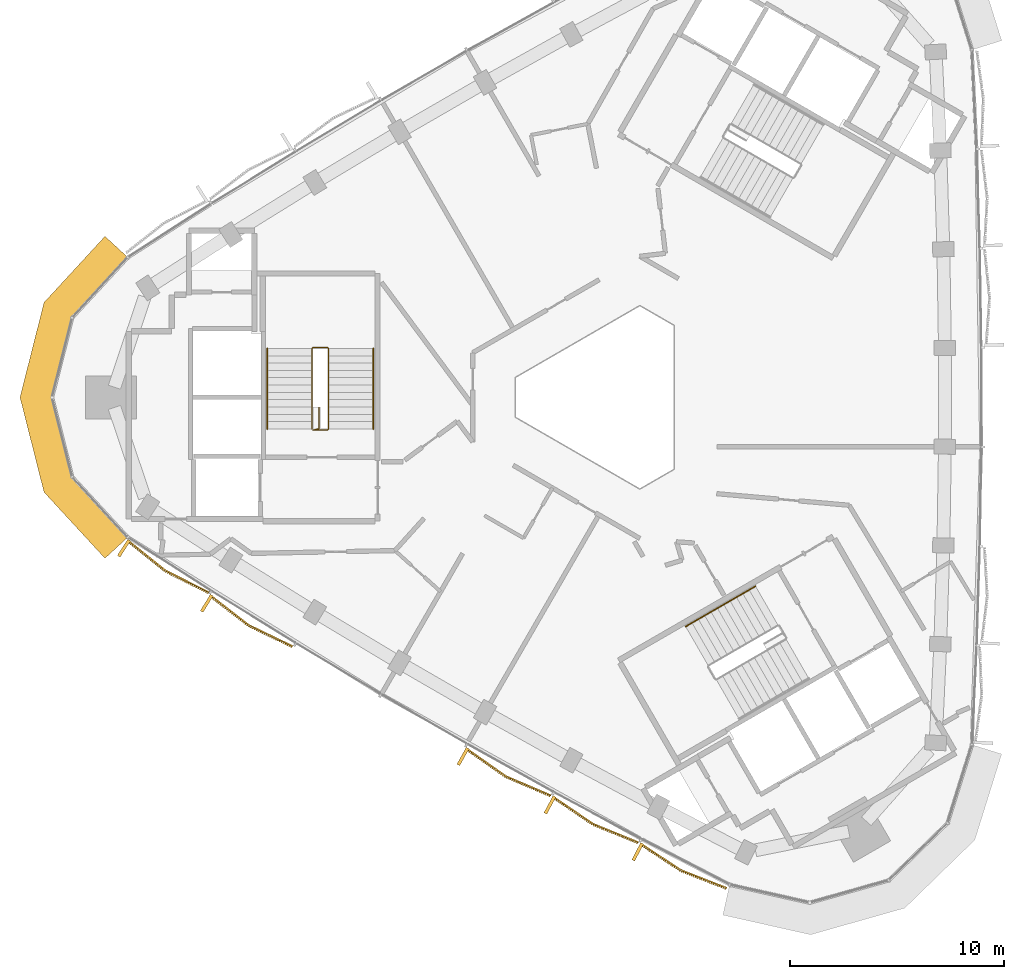
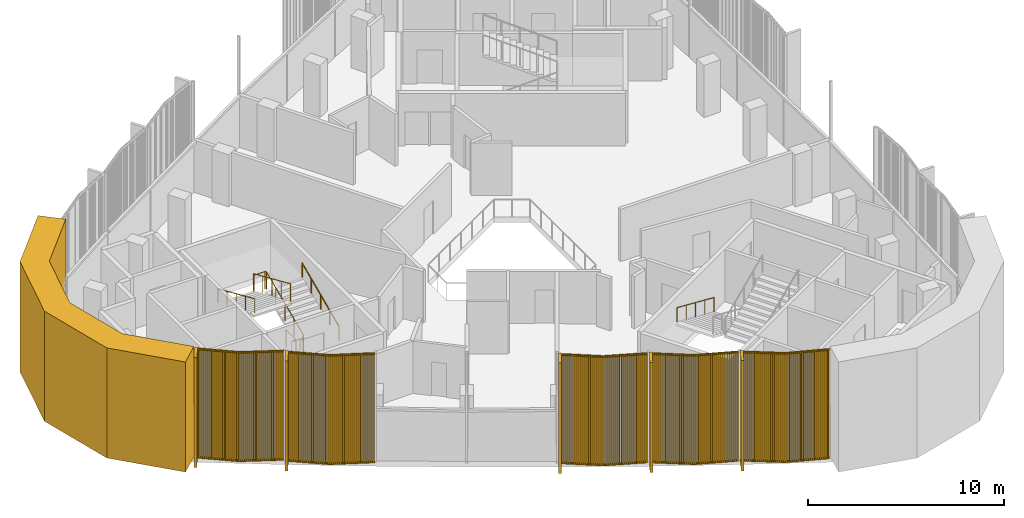
# One storey, part 10 of 13: 6 coverings, 4 railings.
"""IFC4 building model written with IfcOpenShell, lengths in metres."""

from ifc_helpers import new_model, si_unit, direction, frame, frame_2d, origin, origin_2d, place, context, subcontext, project, spatial, polyline, rectangle, circle, outline, extrude, source, transform, mapped, material, layer, layer_set, type_object, element, save


model = new_model("IFC4")

# Units and contexts
model_context = context("Model", 3, precision=1e-05, world=origin(), true_north=direction((0.0, 1.0)))
body_context = subcontext(model_context, "Body", "Model", "MODEL_VIEW")
ifc_project = project(units=[si_unit("LENGTHUNIT", "METRE"), si_unit("AREAUNIT", "SQUARE_METRE"), si_unit("VOLUMEUNIT", "CUBIC_METRE"), si_unit("PLANEANGLEUNIT", "RADIAN"), si_unit("MASSUNIT", "GRAM", prefix="KILO")], contexts=[model_context])

# Site, building, storey
site_placement = place(None, origin())
site = spatial("IfcSite", under=ifc_project, at=site_placement, CompositionType="ELEMENT")
building_placement = place(site_placement, origin())
building = spatial("IfcBuilding", under=site, at=building_placement, Name="Tamra Quay Hotel Tower", CompositionType="ELEMENT")
storey_placement = place(building_placement, frame((0.0, 0.0, 291.0)))
storey = spatial("IfcBuildingStorey", under=building, at=storey_placement, Name="L73", CompositionType="ELEMENT", Elevation=291.0)

# Covering
ifc_material_1 = material(Name="Precast concrete M60 terracotta-coloured", Category="masonry")
ifc_layer = layer(ifc_material_1, 1.449951171875)
ifc_layer_set = layer_set([ifc_layer], Name="CORNER PIER PANEL")
covering_type_1 = type_object("IfcCoveringType", Name="CORNER PIER PANEL", PredefinedType="CLADDING", material=ifc_layer_set)
covering_placement = place(storey_placement, origin())
element("IfcCovering", 1, at=covering_placement, inside=storey, type_object=covering_type_1, Name="Corner pier L73.north-west", PredefinedType="CLADDING", context=body_context, shape_type="SweptSolid", body=[
    extrude(outline(polyline([(-22.488525390625, 6.530517578125), (-23.55517578125, 7.5126953125), (-26.3984375, 4.425048828125), (-27.519287109375, 0.0), (-26.3984375, -4.425048828125), (-23.55517578125, -7.5126953125), (-22.488525390625, -6.530517578125), (-25.0830078125, -3.712890625), (-26.0234375, 0.0), (-25.0830078125, 3.712890625), (-22.488525390625, 6.530517578125)])), origin(), (0.0, 0.0, 1.0), 6.85009765625),
])

# Railings
ifc_material_2 = material(Name="Stair guard 1100")
railing_type_1 = type_object("IfcRailingType", Name="Stair guard 1100", PredefinedType="GUARDRAIL", material=ifc_material_2)
railing_1_placement = place(storey_placement, frame((-13.561767578125, -0.460205078125, 0.0)))
element("IfcRailing", 2, at=railing_1_placement, inside=storey, type_object=railing_type_1, Name="GR", PredefinedType="GUARDRAIL", context=body_context, shape_type="SweptSolid", body=[
    extrude(circle(Radius=0.02392578125, at=origin_2d()), frame((0.0, 0.0, 1.076171875), z_axis=(0.0, -1.0, 0.0), x_axis=(1.0, 0.0, 0.0)), (0.0, 0.0, 1.0), 1.0),
    extrude(circle(Radius=0.02392578125, at=origin_2d()), frame((0.0, -1.0, 1.076171875), z_axis=(-0.970192322573, -0.242336248258, 0.0), x_axis=(0.242336248258, -0.970192322573, 0.0)), (0.0, 0.0, 1.0), 0.2880859375),
    extrude(circle(Radius=0.02392578125, at=origin_2d()), frame((-0.279541015625, -1.06982421875, 1.076171875), z_axis=(1.0, 0.0, 0.0), x_axis=(0.0, 1.0, 0.0)), (0.0, 0.0, 1.0), 0.658935546875),
    extrude(circle(Radius=0.02392578125, at=origin_2d()), frame((0.37939453125, -1.06982421875, 1.076171875), z_axis=(0.301912943143, 0.301912943143, 0.904266083366), x_axis=(-0.707106781187, 0.707106781187, 0.0)), (0.0, 0.0, 1.0), 0.165771484375),
    extrude(circle(Radius=0.02392578125, at=origin_2d()), frame((0.429443359375, -1.019775390625, 1.22607421875), z_axis=(0.0, 0.915773634228, 0.401694723457), x_axis=(-1.0, 0.0, 0.0)), (0.0, 0.0, 1.0), 4.10791015625),
    extrude(circle(Radius=0.02392578125, at=origin_2d()), frame((0.429443359375, 2.7421875, 2.8759765625), z_axis=(-0.708833529934, 0.705375805398, 0.0), x_axis=(-0.705375805398, -0.708833529934, 0.0)), (0.0, 0.0, 1.0), 0.070556640625),
    extrude(circle(Radius=0.02392578125, at=origin_2d()), frame((0.37939453125, 2.7919921875, 2.8759765625), z_axis=(-1.0, 0.0, 0.0), x_axis=(0.0, -1.0, 0.0)), (0.0, 0.0, 1.0), 0.658935546875),
    extrude(circle(Radius=0.02392578125, at=origin_2d()), frame((-0.279541015625, 2.7919921875, 2.8759765625), z_axis=(-0.302046947789, -0.300573548044, 0.904667443621), x_axis=(0.705375805398, -0.708833529934, 0.0)), (0.0, 0.0, 1.0), 0.165771484375),
    extrude(circle(Radius=0.02392578125, at=origin_2d()), frame((-0.32958984375, 2.7421875, 3.02587890625), z_axis=(0.0, -0.915773634228, 0.401694723457), x_axis=(1.0, 0.0, 0.0)), (0.0, 0.0, 1.0), 4.10791015625),
    extrude(circle(Radius=0.02099609375, at=origin_2d()), origin(), (0.0, 0.0, 1.0), 1.052001953125),
    extrude(circle(Radius=0.02099609375, at=origin_2d()), frame((0.0, -1.0, 0.0)), (0.0, 0.0, 1.0), 1.052001953125),
    extrude(circle(Radius=0.02099609375, at=origin_2d()), frame((-0.279541015625, -1.06982421875, 0.0)), (0.0, 0.0, 1.0), 1.052001953125),
    extrude(circle(Radius=0.02099609375, at=origin_2d()), frame((0.37939453125, -1.06982421875, 0.0)), (0.0, 0.0, 1.0), 1.052001953125),
    extrude(circle(Radius=0.02099609375, at=origin_2d()), frame((0.429443359375, -1.019775390625, 0.14990234375)), (0.0, 0.0, 1.0), 1.052001953125),
    extrude(circle(Radius=0.02099609375, at=origin_2d()), frame((0.429443359375, -0.079345703125, 0.5625)), (0.0, 0.0, 1.0), 1.052001953125),
    extrude(circle(Radius=0.02099609375, at=origin_2d()), frame((0.429443359375, 0.861328125, 0.97509765625)), (0.0, 0.0, 1.0), 1.052001953125),
    extrude(circle(Radius=0.02099609375, at=origin_2d()), frame((0.429443359375, 1.8017578125, 1.387451171875)), (0.0, 0.0, 1.0), 1.052001953125),
    extrude(circle(Radius=0.02099609375, at=origin_2d()), frame((0.429443359375, 2.7421875, 1.800048828125)), (0.0, 0.0, 1.0), 1.052001953125),
    extrude(circle(Radius=0.02099609375, at=origin_2d()), frame((0.37939453125, 2.7919921875, 1.800048828125)), (0.0, 0.0, 1.0), 1.052001953125),
    extrude(circle(Radius=0.02099609375, at=origin_2d()), frame((-0.279541015625, 2.7919921875, 1.800048828125)), (0.0, 0.0, 1.0), 1.052001953125),
    extrude(circle(Radius=0.02099609375, at=origin_2d()), frame((-0.32958984375, 2.7421875, 1.949951171875)), (0.0, 0.0, 1.0), 1.052001953125),
    extrude(circle(Radius=0.02099609375, at=origin_2d()), frame((-0.32958984375, 1.8017578125, 2.362548828125)), (0.0, 0.0, 1.0), 1.052001953125),
    extrude(circle(Radius=0.02099609375, at=origin_2d()), frame((-0.32958984375, 0.861328125, 2.77490234375)), (0.0, 0.0, 1.0), 1.052001953125),
    extrude(circle(Radius=0.02099609375, at=origin_2d()), frame((-0.32958984375, -0.079345703125, 3.1875)), (0.0, 0.0, 1.0), 1.052001953125),
    extrude(circle(Radius=0.02099609375, at=origin_2d()), frame((-0.32958984375, -1.019775390625, 3.60009765625)), (0.0, 0.0, 1.0), 1.052001953125),
])
ifc_material_3 = material(Name="Stair handrail 900")
railing_type_2 = type_object("IfcRailingType", Name="Stair handrail 900", PredefinedType="HANDRAIL", material=ifc_material_3)
railing_2_placement = place(storey_placement, frame((-11.0322265625, -1.47998046875, 0.14990234375)))
element("IfcRailing", 3, at=railing_2_placement, inside=storey, type_object=railing_type_2, Name="HR", PredefinedType="HANDRAIL", context=body_context, shape_type="SweptSolid", body=[
    extrude(circle(Radius=0.02392578125, at=origin_2d()), frame((0.0, 0.0, 0.8759765625), z_axis=(0.0, 0.915773634228, 0.401694723457), x_axis=(-1.0, 0.0, 0.0)), (0.0, 0.0, 1.0), 4.10791015625),
    extrude(circle(Radius=0.02099609375, at=origin_2d()), origin(), (0.0, 0.0, 1.0), 0.851806640625),
    extrude(circle(Radius=0.02099609375, at=origin_2d()), frame((0.0, 0.9404296875, 0.41259765625)), (0.0, 0.0, 1.0), 0.851806640625),
    extrude(circle(Radius=0.02099609375, at=origin_2d()), frame((0.0, 1.880859375, 0.8251953125)), (0.0, 0.0, 1.0), 0.851806640625),
    extrude(circle(Radius=0.02099609375, at=origin_2d()), frame((0.0, 2.821533203125, 1.237548828125)), (0.0, 0.0, 1.0), 0.851806640625),
    extrude(circle(Radius=0.02099609375, at=origin_2d()), frame((0.0, 3.761962890625, 1.650146484375)), (0.0, 0.0, 1.0), 0.851806640625),
])
railing_3_placement = place(storey_placement, frame((-15.9912109375, 2.281982421875, 1.949951171875)))
element("IfcRailing", 4, at=railing_3_placement, inside=storey, type_object=railing_type_2, Name="HR", PredefinedType="HANDRAIL", context=body_context, shape_type="SweptSolid", body=[
    extrude(circle(Radius=0.02392578125, at=origin_2d()), frame((0.0, 0.0, 0.8759765625), z_axis=(0.0, -0.915773634228, 0.401694723457), x_axis=(1.0, 0.0, 0.0)), (0.0, 0.0, 1.0), 4.10791015625),
    extrude(circle(Radius=0.02099609375, at=origin_2d()), origin(), (0.0, 0.0, 1.0), 0.851806640625),
    extrude(circle(Radius=0.02099609375, at=origin_2d()), frame((0.0, -0.9404296875, 0.41259765625)), (0.0, 0.0, 1.0), 0.851806640625),
    extrude(circle(Radius=0.02099609375, at=origin_2d()), frame((0.0, -1.880859375, 0.8251953125)), (0.0, 0.0, 1.0), 0.851806640625),
    extrude(circle(Radius=0.02099609375, at=origin_2d()), frame((0.0, -2.821533203125, 1.237548828125)), (0.0, 0.0, 1.0), 0.851806640625),
    extrude(circle(Radius=0.02099609375, at=origin_2d()), frame((0.0, -3.761962890625, 1.650146484375)), (0.0, 0.0, 1.0), 0.851806640625),
])
railing_4_placement = place(storey_placement, frame((6.7978515625, -8.814208984375, 0.14990234375)))
element("IfcRailing", 5, at=railing_4_placement, inside=storey, type_object=railing_type_2, Name="HR", PredefinedType="HANDRAIL", context=body_context, shape_type="SweptSolid", body=[
    extrude(circle(Radius=0.02392578125, at=origin_2d()), frame((0.0, 0.0, 0.8759765625), z_axis=(-0.793081112945, -0.457875966286, 0.40171127416), x_axis=(0.499992114976, -0.866029956157, 0.0)), (0.0, 0.0, 1.0), 4.10791015625),
    extrude(circle(Radius=0.02099609375, at=origin_2d()), origin(), (0.0, 0.0, 1.0), 0.851806640625),
    extrude(circle(Radius=0.02099609375, at=origin_2d()), frame((-0.814453125, -0.47021484375, 0.41259765625)), (0.0, 0.0, 1.0), 0.851806640625),
    extrude(circle(Radius=0.02099609375, at=origin_2d()), frame((-1.62890625, -0.9404296875, 0.8251953125)), (0.0, 0.0, 1.0), 0.851806640625),
    extrude(circle(Radius=0.02099609375, at=origin_2d()), frame((-2.443359375, -1.41064453125, 1.237548828125)), (0.0, 0.0, 1.0), 0.851806640625),
    extrude(circle(Radius=0.02099609375, at=origin_2d()), frame((-3.2578125, -1.880859375, 1.650146484375)), (0.0, 0.0, 1.0), 0.851806640625),
])

# Coverings
ifc_material_4 = material(Name="Terracotta baguette extruded", Category="masonry")
covering_type_2 = type_object("IfcCoveringType", Name="BAGUETTE SCREEN SW-V H6850", PredefinedType="USERDEFINED", material=ifc_material_4)
shared_shape = source(origin(), body_context, "Body", "SweptSolid", [
    extrude(rectangle(XDim=2.284912109375, YDim=0.06005859375, at=frame_2d((1.142578125, 0.030029296875))), frame((-2.27880859375, -0.0576171875, -0.1201171875), z_axis=(0.0, 0.0, 1.0), x_axis=(0.994521895368, -0.104528463268, 0.0)), (0.0, 0.0, 1.0), 0.1201171875),
    extrude(rectangle(XDim=2.284912109375, YDim=0.06005859375, at=frame_2d((1.142578125, 0.030029296875))), frame((-2.27880859375, -0.0576171875, -6.85009765625), z_axis=(0.0, 0.0, 1.0), x_axis=(0.994521895368, -0.104528463268, 0.0)), (0.0, 0.0, 1.0), 0.1201171875),
    extrude(rectangle(XDim=0.070068359375, YDim=0.10009765625, at=frame_2d((0.03515625, 0.050048828125))), frame((-2.258056640625, -0.13330078125, -6.7900390625)), (0.0, 0.0, 1.0), 6.72998046875),
    extrude(rectangle(XDim=0.070068359375, YDim=0.10009765625, at=frame_2d((0.03515625, 0.050048828125))), frame((-2.1591796875, -0.1435546875, -6.7900390625)), (0.0, 0.0, 1.0), 6.72998046875),
    extrude(rectangle(XDim=0.070068359375, YDim=0.10009765625, at=frame_2d((0.03515625, 0.050048828125))), frame((-2.060546875, -0.154052734375, -6.7900390625)), (0.0, 0.0, 1.0), 6.72998046875),
    extrude(rectangle(XDim=0.070068359375, YDim=0.10009765625, at=frame_2d((0.03515625, 0.050048828125))), frame((-1.961669921875, -0.164306640625, -6.7900390625)), (0.0, 0.0, 1.0), 6.72998046875),
    extrude(rectangle(XDim=0.070068359375, YDim=0.10009765625, at=frame_2d((0.03515625, 0.050048828125))), frame((-1.86279296875, -0.1748046875, -6.7900390625)), (0.0, 0.0, 1.0), 6.72998046875),
    extrude(rectangle(XDim=0.070068359375, YDim=0.10009765625, at=frame_2d((0.03515625, 0.050048828125))), frame((-1.76416015625, -0.18505859375, -6.7900390625)), (0.0, 0.0, 1.0), 6.72998046875),
    extrude(rectangle(XDim=0.070068359375, YDim=0.10009765625, at=frame_2d((0.03515625, 0.050048828125))), frame((-1.665283203125, -0.195556640625, -6.7900390625)), (0.0, 0.0, 1.0), 6.72998046875),
    extrude(rectangle(XDim=0.070068359375, YDim=0.10009765625, at=frame_2d((0.03515625, 0.050048828125))), frame((-1.56640625, -0.205810546875, -6.7900390625)), (0.0, 0.0, 1.0), 6.72998046875),
    extrude(rectangle(XDim=0.070068359375, YDim=0.10009765625, at=frame_2d((0.03515625, 0.050048828125))), frame((-1.4677734375, -0.21630859375, -6.7900390625)), (0.0, 0.0, 1.0), 6.72998046875),
    extrude(rectangle(XDim=0.070068359375, YDim=0.10009765625, at=frame_2d((0.03515625, 0.050048828125))), frame((-1.368896484375, -0.2265625, -6.7900390625)), (0.0, 0.0, 1.0), 6.72998046875),
    extrude(rectangle(XDim=0.070068359375, YDim=0.10009765625, at=frame_2d((0.03515625, 0.050048828125))), frame((-1.27001953125, -0.237060546875, -6.7900390625)), (0.0, 0.0, 1.0), 6.72998046875),
    extrude(rectangle(XDim=0.070068359375, YDim=0.10009765625, at=frame_2d((0.03515625, 0.050048828125))), frame((-1.171142578125, -0.247314453125, -6.7900390625)), (0.0, 0.0, 1.0), 6.72998046875),
    extrude(rectangle(XDim=0.070068359375, YDim=0.10009765625, at=frame_2d((0.03515625, 0.050048828125))), frame((-1.072509765625, -0.2578125, -6.7900390625)), (0.0, 0.0, 1.0), 6.72998046875),
    extrude(rectangle(XDim=0.070068359375, YDim=0.10009765625, at=frame_2d((0.03515625, 0.050048828125))), frame((-0.9736328125, -0.268310546875, -6.7900390625)), (0.0, 0.0, 1.0), 6.72998046875),
    extrude(rectangle(XDim=0.070068359375, YDim=0.10009765625, at=frame_2d((0.03515625, 0.050048828125))), frame((-0.874755859375, -0.278564453125, -6.7900390625)), (0.0, 0.0, 1.0), 6.72998046875),
    extrude(rectangle(XDim=0.070068359375, YDim=0.10009765625, at=frame_2d((0.03515625, 0.050048828125))), frame((-0.776123046875, -0.2890625, -6.7900390625)), (0.0, 0.0, 1.0), 6.72998046875),
    extrude(rectangle(XDim=0.070068359375, YDim=0.10009765625, at=frame_2d((0.03515625, 0.050048828125))), frame((-0.67724609375, -0.29931640625, -6.7900390625)), (0.0, 0.0, 1.0), 6.72998046875),
    extrude(rectangle(XDim=0.070068359375, YDim=0.10009765625, at=frame_2d((0.03515625, 0.050048828125))), frame((-0.578369140625, -0.309814453125, -6.7900390625)), (0.0, 0.0, 1.0), 6.72998046875),
    extrude(rectangle(XDim=0.070068359375, YDim=0.10009765625, at=frame_2d((0.03515625, 0.050048828125))), frame((-0.479736328125, -0.320068359375, -6.7900390625)), (0.0, 0.0, 1.0), 6.72998046875),
    extrude(rectangle(XDim=0.070068359375, YDim=0.10009765625, at=frame_2d((0.03515625, 0.050048828125))), frame((-0.380859375, -0.33056640625, -6.7900390625)), (0.0, 0.0, 1.0), 6.72998046875),
    extrude(rectangle(XDim=0.070068359375, YDim=0.10009765625, at=frame_2d((0.03515625, 0.050048828125))), frame((-0.281982421875, -0.3408203125, -6.7900390625)), (0.0, 0.0, 1.0), 6.72998046875),
    extrude(rectangle(XDim=0.070068359375, YDim=0.10009765625, at=frame_2d((0.03515625, 0.050048828125))), frame((-0.18310546875, -0.351318359375, -6.7900390625)), (0.0, 0.0, 1.0), 6.72998046875),
    extrude(rectangle(XDim=0.070068359375, YDim=0.10009765625, at=frame_2d((0.03515625, 0.050048828125))), frame((-0.08447265625, -0.361572265625, -6.7900390625)), (0.0, 0.0, 1.0), 6.72998046875),
    extrude(rectangle(XDim=2.284912109375, YDim=0.06005859375, at=frame_2d((1.142578125, 0.030029296875))), frame((0.00634765625, -0.296630859375, -0.1201171875), z_axis=(0.0, 0.0, 1.0), x_axis=(0.994521895368, 0.104528463268, 0.0)), (0.0, 0.0, 1.0), 0.1201171875),
    extrude(rectangle(XDim=2.284912109375, YDim=0.06005859375, at=frame_2d((1.142578125, 0.030029296875))), frame((0.00634765625, -0.296630859375, -6.85009765625), z_axis=(0.0, 0.0, 1.0), x_axis=(0.994521895368, 0.104528463268, 0.0)), (0.0, 0.0, 1.0), 0.1201171875),
    extrude(rectangle(XDim=0.070068359375, YDim=0.10009765625, at=frame_2d((0.03515625, 0.050048828125))), frame((0.014404296875, -0.361572265625, -6.7900390625)), (0.0, 0.0, 1.0), 6.72998046875),
    extrude(rectangle(XDim=0.070068359375, YDim=0.10009765625, at=frame_2d((0.03515625, 0.050048828125))), frame((0.11328125, -0.351318359375, -6.7900390625)), (0.0, 0.0, 1.0), 6.72998046875),
    extrude(rectangle(XDim=0.070068359375, YDim=0.10009765625, at=frame_2d((0.03515625, 0.050048828125))), frame((0.2119140625, -0.3408203125, -6.7900390625)), (0.0, 0.0, 1.0), 6.72998046875),
    extrude(rectangle(XDim=0.070068359375, YDim=0.10009765625, at=frame_2d((0.03515625, 0.050048828125))), frame((0.310791015625, -0.33056640625, -6.7900390625)), (0.0, 0.0, 1.0), 6.72998046875),
    extrude(rectangle(XDim=0.070068359375, YDim=0.10009765625, at=frame_2d((0.03515625, 0.050048828125))), frame((0.40966796875, -0.320068359375, -6.7900390625)), (0.0, 0.0, 1.0), 6.72998046875),
    extrude(rectangle(XDim=0.070068359375, YDim=0.10009765625, at=frame_2d((0.03515625, 0.050048828125))), frame((0.50830078125, -0.309814453125, -6.7900390625)), (0.0, 0.0, 1.0), 6.72998046875),
    extrude(rectangle(XDim=0.070068359375, YDim=0.10009765625, at=frame_2d((0.03515625, 0.050048828125))), frame((0.607177734375, -0.29931640625, -6.7900390625)), (0.0, 0.0, 1.0), 6.72998046875),
    extrude(rectangle(XDim=0.070068359375, YDim=0.10009765625, at=frame_2d((0.03515625, 0.050048828125))), frame((0.7060546875, -0.2890625, -6.7900390625)), (0.0, 0.0, 1.0), 6.72998046875),
    extrude(rectangle(XDim=0.070068359375, YDim=0.10009765625, at=frame_2d((0.03515625, 0.050048828125))), frame((0.804931640625, -0.278564453125, -6.7900390625)), (0.0, 0.0, 1.0), 6.72998046875),
    extrude(rectangle(XDim=0.070068359375, YDim=0.10009765625, at=frame_2d((0.03515625, 0.050048828125))), frame((0.903564453125, -0.268310546875, -6.7900390625)), (0.0, 0.0, 1.0), 6.72998046875),
    extrude(rectangle(XDim=0.070068359375, YDim=0.10009765625, at=frame_2d((0.03515625, 0.050048828125))), frame((1.00244140625, -0.2578125, -6.7900390625)), (0.0, 0.0, 1.0), 6.72998046875),
    extrude(rectangle(XDim=0.070068359375, YDim=0.10009765625, at=frame_2d((0.03515625, 0.050048828125))), frame((1.101318359375, -0.247314453125, -6.7900390625)), (0.0, 0.0, 1.0), 6.72998046875),
    extrude(rectangle(XDim=0.070068359375, YDim=0.10009765625, at=frame_2d((0.03515625, 0.050048828125))), frame((1.199951171875, -0.237060546875, -6.7900390625)), (0.0, 0.0, 1.0), 6.72998046875),
    extrude(rectangle(XDim=0.070068359375, YDim=0.10009765625, at=frame_2d((0.03515625, 0.050048828125))), frame((1.298828125, -0.2265625, -6.7900390625)), (0.0, 0.0, 1.0), 6.72998046875),
    extrude(rectangle(XDim=0.070068359375, YDim=0.10009765625, at=frame_2d((0.03515625, 0.050048828125))), frame((1.397705078125, -0.21630859375, -6.7900390625)), (0.0, 0.0, 1.0), 6.72998046875),
    extrude(rectangle(XDim=0.070068359375, YDim=0.10009765625, at=frame_2d((0.03515625, 0.050048828125))), frame((1.49658203125, -0.205810546875, -6.7900390625)), (0.0, 0.0, 1.0), 6.72998046875),
    extrude(rectangle(XDim=0.070068359375, YDim=0.10009765625, at=frame_2d((0.03515625, 0.050048828125))), frame((1.59521484375, -0.195556640625, -6.7900390625)), (0.0, 0.0, 1.0), 6.72998046875),
    extrude(rectangle(XDim=0.070068359375, YDim=0.10009765625, at=frame_2d((0.03515625, 0.050048828125))), frame((1.694091796875, -0.18505859375, -6.7900390625)), (0.0, 0.0, 1.0), 6.72998046875),
    extrude(rectangle(XDim=0.070068359375, YDim=0.10009765625, at=frame_2d((0.03515625, 0.050048828125))), frame((1.79296875, -0.1748046875, -6.7900390625)), (0.0, 0.0, 1.0), 6.72998046875),
    extrude(rectangle(XDim=0.070068359375, YDim=0.10009765625, at=frame_2d((0.03515625, 0.050048828125))), frame((1.8916015625, -0.164306640625, -6.7900390625)), (0.0, 0.0, 1.0), 6.72998046875),
    extrude(rectangle(XDim=0.070068359375, YDim=0.10009765625, at=frame_2d((0.03515625, 0.050048828125))), frame((1.990478515625, -0.154052734375, -6.7900390625)), (0.0, 0.0, 1.0), 6.72998046875),
    extrude(rectangle(XDim=0.070068359375, YDim=0.10009765625, at=frame_2d((0.03515625, 0.050048828125))), frame((2.08935546875, -0.1435546875, -6.7900390625)), (0.0, 0.0, 1.0), 6.72998046875),
    extrude(rectangle(XDim=0.070068359375, YDim=0.10009765625, at=frame_2d((0.03515625, 0.050048828125))), frame((2.18798828125, -0.13330078125, -6.7900390625)), (0.0, 0.0, 1.0), 6.72998046875),
    extrude(rectangle(XDim=0.14990234375, YDim=0.902099609375, at=frame_2d((0.074951171875, 0.451171875))), frame((-2.2724609375, -0.89990234375, -6.85009765625)), (0.0, 0.0, 1.0), 6.85009765625),
])
for number, where, z_axis, x_axis, name in (
    (6, (-20.580322265625, -7.84765625, 6.85009765625), (0.0, 0.0, 1.0), (0.841664986899, -0.540000046137, 0.0), "Baguette screen L73.SW.f00"),
    (7, (-16.7021484375, -10.387939453125, 6.85009765625), (0.0, 0.0, 1.0), (0.849981756251, -0.526812124045, 0.0), "Baguette screen L73.SW.f01"),
    (8, (-4.712890625, -17.435302734375, 6.85009765625), (0.0, 0.0, 1.0), (0.87373577863, -0.486400852324, 0.0), "Baguette screen L73.SW.f04"),
    (9, (-0.64501953125, -19.658447265625, 6.85009765625), (0.0, 0.0, 1.0), (0.88122356057, -0.472699731644, 0.0), "Baguette screen L73.SW.f05"),
    (10, (3.457275390625, -21.81787109375, 6.85009765625), (0.0, 0.0, 1.0), (0.888486251449, -0.458903237062, 0.0), "Baguette screen L73.SW.f06"),
):
    element("IfcCovering", number, at=place(storey_placement, frame(where, z_axis=z_axis, x_axis=x_axis)), inside=storey, type_object=covering_type_2, Name=name, ObjectType="BAGUETTE SCREEN", PredefinedType="USERDEFINED", context=body_context, shape_type="MappedRepresentation", body=[
        mapped(shared_shape, transform((0.0, 0.0, 0.0), scale=1.0)),
    ])

save(model, "model.ifc")
